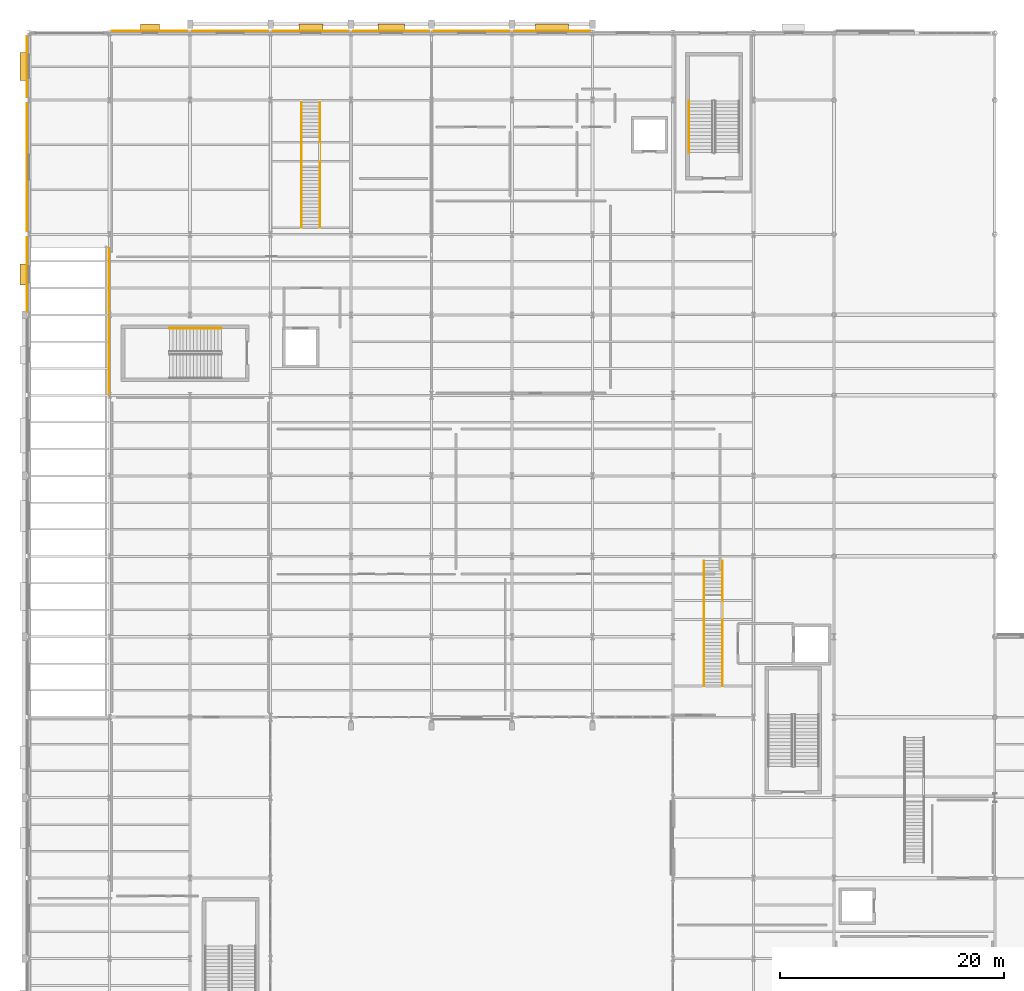
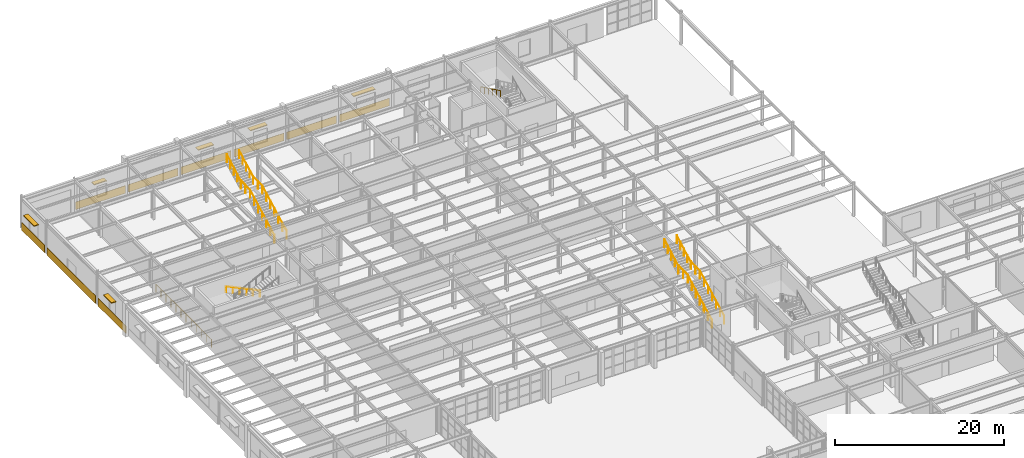
# One storey, part 76 of 83: 9 coverings, 7 railings, 6 shading devices.
"""IFC4 building model written with IfcOpenShell, lengths in metres."""

from ifc_helpers import new_model, si_unit, direction, frame, origin, origin_2d, place, context, subcontext, project, spatial, rectangle, circle, extrude, material, layer, layer_set, type_object, element, save


model = new_model("IFC4")

# Units and contexts
model_context = context("Model", 3, precision=1e-05, world=origin(), true_north=direction((0.0, 1.0)))
body_context = subcontext(model_context, "Body", "Model", "MODEL_VIEW")
ifc_project = project(units=[si_unit("LENGTHUNIT", "METRE"), si_unit("AREAUNIT", "SQUARE_METRE"), si_unit("VOLUMEUNIT", "CUBIC_METRE"), si_unit("PLANEANGLEUNIT", "RADIAN"), si_unit("MASSUNIT", "GRAM", prefix="KILO")], contexts=[model_context])

# Site, building, storey
site_placement = place(None, origin())
site = spatial("IfcSite", under=ifc_project, at=site_placement, CompositionType="ELEMENT")
building_placement = place(site_placement, origin())
building = spatial("IfcBuilding", under=site, at=building_placement, Name="Solvadek Multi-Sports Hall", CompositionType="ELEMENT")
storey_placement = place(building_placement, origin())
storey = spatial("IfcBuildingStorey", under=building, at=storey_placement, Name="L00", CompositionType="ELEMENT", Elevation=0.0)

# Coverings
ifc_material_1 = material(Name="Dressed honey-cream limestone ashlar", Category="masonry")
ifc_layer = layer(ifc_material_1, 0.044921875, Name="Dressed honey-cream limestone ashlar")
ifc_layer_set = layer_set([ifc_layer], Name="Dressed honey-cream limestone ashlar")
covering_type = type_object("IfcCoveringType", Name="ENV-COV-CLAD45", PredefinedType="CLADDING", material=ifc_layer_set)
covering_1_placement = place(storey_placement, frame((-0.197021484375, 88.800048828125, 0.0), z_axis=(0.0, 0.0, 1.0), x_axis=(0.0, 1.0, 0.0)))
element("IfcCovering", 1, at=covering_1_placement, inside=storey, type_object=covering_type, Name="Deccan Granite Plinth Cladding #10", PredefinedType="CLADDING", context=body_context, shape_type="SweptSolid", body=[
    extrude(rectangle(XDim=6.64208984375, YDim=0.044921875, at=origin_2d()), origin(), (0.0, 0.0, 1.0), 1.10009765625),
])
covering_2_placement = place(storey_placement, frame((-0.197021484375, 98.39990234375, 0.0), z_axis=(0.0, 0.0, 1.0), x_axis=(0.0, 1.0, 0.0)))
element("IfcCovering", 2, at=covering_2_placement, inside=storey, type_object=covering_type, Name="Deccan Granite Plinth Cladding #11", PredefinedType="CLADDING", context=body_context, shape_type="SweptSolid", body=[
    extrude(rectangle(XDim=11.44189453125, YDim=0.044921875, at=origin_2d()), origin(), (0.0, 0.0, 1.0), 1.10009765625),
])
covering_3_placement = place(storey_placement, frame((-0.197021484375, 107.39990234375, 0.0), z_axis=(0.0, 0.0, 1.0), x_axis=(0.0, 1.0, 0.0)))
element("IfcCovering", 3, at=covering_3_placement, inside=storey, type_object=covering_type, Name="Deccan Granite Plinth Cladding #12", PredefinedType="CLADDING", context=body_context, shape_type="SweptSolid", body=[
    extrude(rectangle(XDim=5.44189453125, YDim=0.044921875, at=origin_2d()), origin(), (0.0, 0.0, 1.0), 1.10009765625),
])
for number, where, z_axis, x_axis, name in (
    (4, (10.800048828125, 110.59716796875, 0.0), (0.0, 0.0, 1.0), (1.0, 0.0, 0.0), "Deccan Granite Plinth Cladding #13"),
    (5, (18.0, 110.59716796875, 0.0), (0.0, 0.0, 1.0), (1.0, 0.0, 0.0), "Deccan Granite Plinth Cladding #14"),
    (6, (25.199951171875, 110.59716796875, 0.0), (0.0, 0.0, 1.0), (1.0, 0.0, 0.0), "Deccan Granite Plinth Cladding #15"),
    (7, (32.39990234375, 110.59716796875, 0.0), (0.0, 0.0, 1.0), (1.0, 0.0, 0.0), "Deccan Granite Plinth Cladding #16"),
    (8, (39.60009765625, 110.59716796875, 0.0), (0.0, 0.0, 1.0), (1.0, 0.0, 0.0), "Deccan Granite Plinth Cladding #17"),
    (9, (46.800048828125, 110.59716796875, 0.0), (0.0, 0.0, 1.0), (1.0, 0.0, 0.0), "Deccan Granite Plinth Cladding #18"),
):
    element("IfcCovering", number, at=place(storey_placement, frame(where, z_axis=z_axis, x_axis=x_axis)), inside=storey, type_object=covering_type, Name=name, PredefinedType="CLADDING", context=body_context, shape_type="SweptSolid", body=[
        extrude(rectangle(XDim=6.7919921875, YDim=0.044921875, at=origin_2d()), origin(), (0.0, 0.0, 1.0), 1.10009765625),
    ])

# Shading devices
ifc_material_2 = material(Name="Perforated champagne-bronze anodised aluminium", Category="aluminium")
shading_device_type_1 = type_object("IfcShadingDeviceType", Name="ENV-SHD-CHAJJA1", PredefinedType="JALOUSIE", material=ifc_material_2)
shading_device_1_placement = place(storey_placement, frame((-0.494384765625, 107.39990234375, 3.119873046875), z_axis=(0.0, 0.0, 1.0), x_axis=(0.0, 1.0, 0.0)))
element("IfcShadingDevice", 10, at=shading_device_1_placement, inside=storey, type_object=shading_device_type_1, Name="L00 Chajja Solar Shading Hood #27", PredefinedType="JALOUSIE", context=body_context, shape_type="SweptSolid", body=[
    extrude(rectangle(XDim=2.5, YDim=0.639892578125, at=origin_2d()), origin(), (0.0, 0.0, 1.0), 0.1201171875),
])
shading_device_2_placement = place(storey_placement, frame((46.800048828125, 110.89453125, 2.969970703125), z_axis=(0.0, 0.0, 1.0), x_axis=(1.0, 0.0, 0.0)))
element("IfcShadingDevice", 11, at=shading_device_2_placement, inside=storey, type_object=shading_device_type_1, Name="L00 Chajja Solar Shading Hood #41", PredefinedType="JALOUSIE", context=body_context, shape_type="SweptSolid", body=[
    extrude(rectangle(XDim=2.949951171875, YDim=0.639892578125, at=origin_2d()), origin(), (0.0, 0.0, 1.0), 0.1201171875),
])
shading_device_type_2 = type_object("IfcShadingDeviceType", Name="ENV-SHD-CHAJJA2", PredefinedType="JALOUSIE", material=ifc_material_2)
shading_device_3_placement = place(storey_placement, frame((-0.494384765625, 88.800048828125, 3.119873046875), z_axis=(0.0, 0.0, 1.0), x_axis=(0.0, 1.0, 0.0)))
element("IfcShadingDevice", 12, at=shading_device_3_placement, inside=storey, type_object=shading_device_type_2, Name="L00 Chajja Solar Shading Hood #23", PredefinedType="JALOUSIE", context=body_context, shape_type="SweptSolid", body=[
    extrude(rectangle(XDim=1.89990234375, YDim=0.639892578125, at=origin_2d()), origin(), (0.0, 0.0, 1.0), 0.1201171875),
])
shading_device_4_placement = place(storey_placement, frame((10.800048828125, 110.89453125, 2.619873046875), z_axis=(0.0, 0.0, 1.0), x_axis=(1.0, 0.0, 0.0)))
element("IfcShadingDevice", 13, at=shading_device_4_placement, inside=storey, type_object=shading_device_type_2, Name="L00 Chajja Solar Shading Hood #30", PredefinedType="JALOUSIE", context=body_context, shape_type="SweptSolid", body=[
    extrude(rectangle(XDim=1.699951171875, YDim=0.639892578125, at=origin_2d()), origin(), (0.0, 0.0, 1.0), 0.1201171875),
])
shading_device_5_placement = place(storey_placement, frame((25.199951171875, 110.89453125, 2.669921875), z_axis=(0.0, 0.0, 1.0), x_axis=(1.0, 0.0, 0.0)))
element("IfcShadingDevice", 14, at=shading_device_5_placement, inside=storey, type_object=shading_device_type_2, Name="L00 Chajja Solar Shading Hood #35", PredefinedType="JALOUSIE", context=body_context, shape_type="SweptSolid", body=[
    extrude(rectangle(XDim=2.14990234375, YDim=0.639892578125, at=origin_2d()), origin(), (0.0, 0.0, 1.0), 0.1201171875),
])
shading_device_6_placement = place(storey_placement, frame((32.39990234375, 110.89453125, 2.969970703125), z_axis=(0.0, 0.0, 1.0), x_axis=(1.0, 0.0, 0.0)))
element("IfcShadingDevice", 15, at=shading_device_6_placement, inside=storey, type_object=shading_device_type_2, Name="L00 Chajja Solar Shading Hood #38", PredefinedType="JALOUSIE", context=body_context, shape_type="SweptSolid", body=[
    extrude(rectangle(XDim=2.35009765625, YDim=0.639892578125, at=origin_2d()), origin(), (0.0, 0.0, 1.0), 0.1201171875),
])

# Railings
ifc_material_3 = material(Name="Steel E250 (250 MPa)", Category="steel")
railing_type_1 = type_object("IfcRailingType", Name="INT-RAL-GRD115", PredefinedType="BALUSTRADE", material=ifc_material_3)
railing_1_placement = place(storey_placement, frame((62.0400390625, 52.0, 0.0)))
element("IfcRailing", 16, at=railing_1_placement, inside=storey, type_object=railing_type_1, Name="Stair ST-10 Balustrade Guard", PredefinedType="BALUSTRADE", context=body_context, shape_type="SweptSolid", body=[
    extrude(circle(Radius=0.02392578125, at=origin_2d()), frame((0.0, 0.0, 1.1259765625), z_axis=(0.0, 0.884916578004, 0.465749557138), x_axis=(-1.0, 0.0, 0.0)), (0.0, 0.0, 1.0), 6.441162109375),
    extrude(circle(Radius=0.02392578125, at=origin_2d()), frame((0.0, 5.699951171875, 4.1259765625), z_axis=(0.0, 1.0, 0.0), x_axis=(-1.0, 0.0, 0.0)), (0.0, 0.0, 1.0), 2.199951171875),
    extrude(circle(Radius=0.02392578125, at=origin_2d()), frame((0.0, 7.89990234375, 4.1259765625), z_axis=(0.0, 0.877893090839, 0.478856681124), x_axis=(-1.0, 0.0, 0.0)), (0.0, 0.0, 1.0), 3.759033203125),
    extrude(circle(Radius=0.02099609375, at=origin_2d()), origin(), (0.0, 0.0, 1.0), 1.101806640625),
    extrude(circle(Radius=0.02099609375, at=origin_2d()), frame((0.0, 0.949951171875, 0.5)), (0.0, 0.0, 1.0), 1.101806640625),
    extrude(circle(Radius=0.02099609375, at=origin_2d()), frame((0.0, 1.89990234375, 1.0)), (0.0, 0.0, 1.0), 1.101806640625),
    extrude(circle(Radius=0.02099609375, at=origin_2d()), frame((0.0, 2.85009765625, 1.5)), (0.0, 0.0, 1.0), 1.101806640625),
    extrude(circle(Radius=0.02099609375, at=origin_2d()), frame((0.0, 3.800048828125, 2.0)), (0.0, 0.0, 1.0), 1.101806640625),
    extrude(circle(Radius=0.02099609375, at=origin_2d()), frame((0.0, 4.75, 2.5)), (0.0, 0.0, 1.0), 1.101806640625),
    extrude(circle(Radius=0.02099609375, at=origin_2d()), frame((0.0, 5.699951171875, 3.0)), (0.0, 0.0, 1.0), 1.101806640625),
    extrude(circle(Radius=0.02099609375, at=origin_2d()), frame((0.0, 6.7998046875, 3.0)), (0.0, 0.0, 1.0), 1.101806640625),
    extrude(circle(Radius=0.02099609375, at=origin_2d()), frame((0.0, 7.89990234375, 3.0)), (0.0, 0.0, 1.0), 1.101806640625),
    extrude(circle(Radius=0.02099609375, at=origin_2d()), frame((0.0, 8.724853515625, 3.449951171875)), (0.0, 0.0, 1.0), 1.101806640625),
    extrude(circle(Radius=0.02099609375, at=origin_2d()), frame((0.0, 9.5498046875, 3.89990234375)), (0.0, 0.0, 1.0), 1.101806640625),
    extrude(circle(Radius=0.02099609375, at=origin_2d()), frame((0.0, 10.375, 4.35009765625)), (0.0, 0.0, 1.0), 1.101806640625),
    extrude(circle(Radius=0.02099609375, at=origin_2d()), frame((0.0, 11.199951171875, 4.800048828125)), (0.0, 0.0, 1.0), 1.101806640625),
])
railing_2_placement = place(storey_placement, frame((60.360107421875, 52.0, 0.0)))
element("IfcRailing", 17, at=railing_2_placement, inside=storey, type_object=railing_type_1, Name="Stair ST-10 Balustrade Guard", PredefinedType="BALUSTRADE", context=body_context, shape_type="SweptSolid", body=[
    extrude(circle(Radius=0.02392578125, at=origin_2d()), frame((0.0, 0.0, 1.1259765625), z_axis=(0.0, 0.884916578004, 0.465749557138), x_axis=(-1.0, 0.0, 0.0)), (0.0, 0.0, 1.0), 6.441162109375),
    extrude(circle(Radius=0.02392578125, at=origin_2d()), frame((0.0, 5.699951171875, 4.1259765625), z_axis=(0.0, 1.0, 0.0), x_axis=(-1.0, 0.0, 0.0)), (0.0, 0.0, 1.0), 2.199951171875),
    extrude(circle(Radius=0.02392578125, at=origin_2d()), frame((0.0, 7.89990234375, 4.1259765625), z_axis=(0.0, 0.877893090839, 0.478856681124), x_axis=(-1.0, 0.0, 0.0)), (0.0, 0.0, 1.0), 3.759033203125),
    extrude(circle(Radius=0.02099609375, at=origin_2d()), origin(), (0.0, 0.0, 1.0), 1.101806640625),
    extrude(circle(Radius=0.02099609375, at=origin_2d()), frame((0.0, 0.949951171875, 0.5)), (0.0, 0.0, 1.0), 1.101806640625),
    extrude(circle(Radius=0.02099609375, at=origin_2d()), frame((0.0, 1.89990234375, 1.0)), (0.0, 0.0, 1.0), 1.101806640625),
    extrude(circle(Radius=0.02099609375, at=origin_2d()), frame((0.0, 2.85009765625, 1.5)), (0.0, 0.0, 1.0), 1.101806640625),
    extrude(circle(Radius=0.02099609375, at=origin_2d()), frame((0.0, 3.800048828125, 2.0)), (0.0, 0.0, 1.0), 1.101806640625),
    extrude(circle(Radius=0.02099609375, at=origin_2d()), frame((0.0, 4.75, 2.5)), (0.0, 0.0, 1.0), 1.101806640625),
    extrude(circle(Radius=0.02099609375, at=origin_2d()), frame((0.0, 5.699951171875, 3.0)), (0.0, 0.0, 1.0), 1.101806640625),
    extrude(circle(Radius=0.02099609375, at=origin_2d()), frame((0.0, 6.7998046875, 3.0)), (0.0, 0.0, 1.0), 1.101806640625),
    extrude(circle(Radius=0.02099609375, at=origin_2d()), frame((0.0, 7.89990234375, 3.0)), (0.0, 0.0, 1.0), 1.101806640625),
    extrude(circle(Radius=0.02099609375, at=origin_2d()), frame((0.0, 8.724853515625, 3.449951171875)), (0.0, 0.0, 1.0), 1.101806640625),
    extrude(circle(Radius=0.02099609375, at=origin_2d()), frame((0.0, 9.5498046875, 3.89990234375)), (0.0, 0.0, 1.0), 1.101806640625),
    extrude(circle(Radius=0.02099609375, at=origin_2d()), frame((0.0, 10.375, 4.35009765625)), (0.0, 0.0, 1.0), 1.101806640625),
    extrude(circle(Radius=0.02099609375, at=origin_2d()), frame((0.0, 11.199951171875, 4.800048828125)), (0.0, 0.0, 1.0), 1.101806640625),
])
railing_3_placement = place(storey_placement, frame((26.0400390625, 93.0, 0.0)))
element("IfcRailing", 18, at=railing_3_placement, inside=storey, type_object=railing_type_1, Name="Stair ST-12 Balustrade Guard", PredefinedType="BALUSTRADE", context=body_context, shape_type="SweptSolid", body=[
    extrude(circle(Radius=0.02392578125, at=origin_2d()), frame((0.0, 0.0, 1.1259765625), z_axis=(0.0, 0.884916578004, 0.465749557138), x_axis=(-1.0, 0.0, 0.0)), (0.0, 0.0, 1.0), 6.441162109375),
    extrude(circle(Radius=0.02392578125, at=origin_2d()), frame((0.0, 5.699951171875, 4.1259765625), z_axis=(0.0, 1.0, 0.0), x_axis=(-1.0, 0.0, 0.0)), (0.0, 0.0, 1.0), 2.199951171875),
    extrude(circle(Radius=0.02392578125, at=origin_2d()), frame((0.0, 7.89990234375, 4.1259765625), z_axis=(0.0, 0.877893090839, 0.478856681124), x_axis=(-1.0, 0.0, 0.0)), (0.0, 0.0, 1.0), 3.759033203125),
    extrude(circle(Radius=0.02099609375, at=origin_2d()), origin(), (0.0, 0.0, 1.0), 1.101806640625),
    extrude(circle(Radius=0.02099609375, at=origin_2d()), frame((0.0, 0.949951171875, 0.5)), (0.0, 0.0, 1.0), 1.101806640625),
    extrude(circle(Radius=0.02099609375, at=origin_2d()), frame((0.0, 1.89990234375, 1.0)), (0.0, 0.0, 1.0), 1.101806640625),
    extrude(circle(Radius=0.02099609375, at=origin_2d()), frame((0.0, 2.85009765625, 1.5)), (0.0, 0.0, 1.0), 1.101806640625),
    extrude(circle(Radius=0.02099609375, at=origin_2d()), frame((0.0, 3.800048828125, 2.0)), (0.0, 0.0, 1.0), 1.101806640625),
    extrude(circle(Radius=0.02099609375, at=origin_2d()), frame((0.0, 4.75, 2.5)), (0.0, 0.0, 1.0), 1.101806640625),
    extrude(circle(Radius=0.02099609375, at=origin_2d()), frame((0.0, 5.699951171875, 3.0)), (0.0, 0.0, 1.0), 1.101806640625),
    extrude(circle(Radius=0.02099609375, at=origin_2d()), frame((0.0, 6.7998046875, 3.0)), (0.0, 0.0, 1.0), 1.101806640625),
    extrude(circle(Radius=0.02099609375, at=origin_2d()), frame((0.0, 7.89990234375, 3.0)), (0.0, 0.0, 1.0), 1.101806640625),
    extrude(circle(Radius=0.02099609375, at=origin_2d()), frame((0.0, 8.724853515625, 3.449951171875)), (0.0, 0.0, 1.0), 1.101806640625),
    extrude(circle(Radius=0.02099609375, at=origin_2d()), frame((0.0, 9.5498046875, 3.89990234375)), (0.0, 0.0, 1.0), 1.101806640625),
    extrude(circle(Radius=0.02099609375, at=origin_2d()), frame((0.0, 10.375, 4.35009765625)), (0.0, 0.0, 1.0), 1.101806640625),
    extrude(circle(Radius=0.02099609375, at=origin_2d()), frame((0.0, 11.199951171875, 4.800048828125)), (0.0, 0.0, 1.0), 1.101806640625),
])
railing_4_placement = place(storey_placement, frame((24.360107421875, 93.0, 0.0)))
element("IfcRailing", 19, at=railing_4_placement, inside=storey, type_object=railing_type_1, Name="Stair ST-12 Balustrade Guard", PredefinedType="BALUSTRADE", context=body_context, shape_type="SweptSolid", body=[
    extrude(circle(Radius=0.02392578125, at=origin_2d()), frame((0.0, 0.0, 1.1259765625), z_axis=(0.0, 0.884916578004, 0.465749557138), x_axis=(-1.0, 0.0, 0.0)), (0.0, 0.0, 1.0), 6.441162109375),
    extrude(circle(Radius=0.02392578125, at=origin_2d()), frame((0.0, 5.699951171875, 4.1259765625), z_axis=(0.0, 1.0, 0.0), x_axis=(-1.0, 0.0, 0.0)), (0.0, 0.0, 1.0), 2.199951171875),
    extrude(circle(Radius=0.02392578125, at=origin_2d()), frame((0.0, 7.89990234375, 4.1259765625), z_axis=(0.0, 0.877893090839, 0.478856681124), x_axis=(-1.0, 0.0, 0.0)), (0.0, 0.0, 1.0), 3.759033203125),
    extrude(circle(Radius=0.02099609375, at=origin_2d()), origin(), (0.0, 0.0, 1.0), 1.101806640625),
    extrude(circle(Radius=0.02099609375, at=origin_2d()), frame((0.0, 0.949951171875, 0.5)), (0.0, 0.0, 1.0), 1.101806640625),
    extrude(circle(Radius=0.02099609375, at=origin_2d()), frame((0.0, 1.89990234375, 1.0)), (0.0, 0.0, 1.0), 1.101806640625),
    extrude(circle(Radius=0.02099609375, at=origin_2d()), frame((0.0, 2.85009765625, 1.5)), (0.0, 0.0, 1.0), 1.101806640625),
    extrude(circle(Radius=0.02099609375, at=origin_2d()), frame((0.0, 3.800048828125, 2.0)), (0.0, 0.0, 1.0), 1.101806640625),
    extrude(circle(Radius=0.02099609375, at=origin_2d()), frame((0.0, 4.75, 2.5)), (0.0, 0.0, 1.0), 1.101806640625),
    extrude(circle(Radius=0.02099609375, at=origin_2d()), frame((0.0, 5.699951171875, 3.0)), (0.0, 0.0, 1.0), 1.101806640625),
    extrude(circle(Radius=0.02099609375, at=origin_2d()), frame((0.0, 6.7998046875, 3.0)), (0.0, 0.0, 1.0), 1.101806640625),
    extrude(circle(Radius=0.02099609375, at=origin_2d()), frame((0.0, 7.89990234375, 3.0)), (0.0, 0.0, 1.0), 1.101806640625),
    extrude(circle(Radius=0.02099609375, at=origin_2d()), frame((0.0, 8.724853515625, 3.449951171875)), (0.0, 0.0, 1.0), 1.101806640625),
    extrude(circle(Radius=0.02099609375, at=origin_2d()), frame((0.0, 9.5498046875, 3.89990234375)), (0.0, 0.0, 1.0), 1.101806640625),
    extrude(circle(Radius=0.02099609375, at=origin_2d()), frame((0.0, 10.375, 4.35009765625)), (0.0, 0.0, 1.0), 1.101806640625),
    extrude(circle(Radius=0.02099609375, at=origin_2d()), frame((0.0, 11.199951171875, 4.800048828125)), (0.0, 0.0, 1.0), 1.101806640625),
])
railing_5_placement = place(storey_placement, frame((7.139892578125, 78.06005859375, 0.0)))
element("IfcRailing", 20, at=railing_5_placement, inside=storey, type_object=railing_type_1, Name="L00 Void Edge Balustrade Guard #22", PredefinedType="BALUSTRADE", context=body_context, shape_type="SweptSolid", body=[
    extrude(circle(Radius=0.02392578125, at=origin_2d()), frame((0.0, 0.0, 1.1259765625), z_axis=(0.0, 1.0, 0.0), x_axis=(-1.0, 0.0, 0.0)), (0.0, 0.0, 1.0), 13.079833984375),
    extrude(circle(Radius=0.02099609375, at=origin_2d()), origin(), (0.0, 0.0, 1.0), 1.101806640625),
    extrude(circle(Radius=0.02099609375, at=origin_2d()), frame((0.0, 1.18896484375, 0.0)), (0.0, 0.0, 1.0), 1.101806640625),
    extrude(circle(Radius=0.02099609375, at=origin_2d()), frame((0.0, 2.378173828125, 0.0)), (0.0, 0.0, 1.0), 1.101806640625),
    extrude(circle(Radius=0.02099609375, at=origin_2d()), frame((0.0, 3.567138671875, 0.0)), (0.0, 0.0, 1.0), 1.101806640625),
    extrude(circle(Radius=0.02099609375, at=origin_2d()), frame((0.0, 4.75634765625, 0.0)), (0.0, 0.0, 1.0), 1.101806640625),
    extrude(circle(Radius=0.02099609375, at=origin_2d()), frame((0.0, 5.9453125, 0.0)), (0.0, 0.0, 1.0), 1.101806640625),
    extrude(circle(Radius=0.02099609375, at=origin_2d()), frame((0.0, 7.134521484375, 0.0)), (0.0, 0.0, 1.0), 1.101806640625),
    extrude(circle(Radius=0.02099609375, at=origin_2d()), frame((0.0, 8.323486328125, 0.0)), (0.0, 0.0, 1.0), 1.101806640625),
    extrude(circle(Radius=0.02099609375, at=origin_2d()), frame((0.0, 9.5126953125, 0.0)), (0.0, 0.0, 1.0), 1.101806640625),
    extrude(circle(Radius=0.02099609375, at=origin_2d()), frame((0.0, 10.70166015625, 0.0)), (0.0, 0.0, 1.0), 1.101806640625),
    extrude(circle(Radius=0.02099609375, at=origin_2d()), frame((0.0, 11.890869140625, 0.0)), (0.0, 0.0, 1.0), 1.101806640625),
    extrude(circle(Radius=0.02099609375, at=origin_2d()), frame((0.0, 13.079833984375, 0.0)), (0.0, 0.0, 1.0), 1.101806640625),
])
railing_type_2 = type_object("IfcRailingType", Name="INT-RAL-HND090", PredefinedType="HANDRAIL", material=ifc_material_3)
railing_6_placement = place(storey_placement, frame((17.199951171875, 84.0, 0.14990234375)))
element("IfcRailing", 21, at=railing_6_placement, inside=storey, type_object=railing_type_2, Name="L00 ST-02 stair handrail 1", PredefinedType="HANDRAIL", context=body_context, shape_type="SweptSolid", body=[
    extrude(circle(Radius=0.02392578125, at=origin_2d()), frame((0.0, 0.0, 0.8759765625), z_axis=(-0.900155664878, 0.0, 0.435568340204), x_axis=(0.0, -1.0, 0.0)), (0.0, 0.0, 1.0), 5.165771484375),
    extrude(circle(Radius=0.02099609375, at=origin_2d()), origin(), (0.0, 0.0, 1.0), 0.851806640625),
    extrude(circle(Radius=0.02099609375, at=origin_2d()), frame((-0.929931640625, 0.0, 0.449951171875)), (0.0, 0.0, 1.0), 0.851806640625),
    extrude(circle(Radius=0.02099609375, at=origin_2d()), frame((-1.85986328125, 0.0, 0.89990234375)), (0.0, 0.0, 1.0), 0.851806640625),
    extrude(circle(Radius=0.02099609375, at=origin_2d()), frame((-2.7900390625, 0.0, 1.35009765625)), (0.0, 0.0, 1.0), 0.851806640625),
    extrude(circle(Radius=0.02099609375, at=origin_2d()), frame((-3.719970703125, 0.0, 1.800048828125)), (0.0, 0.0, 1.0), 0.851806640625),
    extrude(circle(Radius=0.02099609375, at=origin_2d()), frame((-4.64990234375, 0.0, 2.25)), (0.0, 0.0, 1.0), 0.851806640625),
])
railing_7_placement = place(storey_placement, frame((59.050048828125, 104.35009765625, 2.550048828125)))
element("IfcRailing", 22, at=railing_7_placement, inside=storey, type_object=railing_type_2, Name="L00 ST-03 stair handrail 2", PredefinedType="HANDRAIL", context=body_context, shape_type="SweptSolid", body=[
    extrude(circle(Radius=0.02392578125, at=origin_2d()), frame((0.0, 0.0, 0.8759765625), z_axis=(0.0, -0.900164630878, 0.435549810373), x_axis=(1.0, 0.0, 0.0)), (0.0, 0.0, 1.0), 5.165771484375),
    extrude(circle(Radius=0.02099609375, at=origin_2d()), origin(), (0.0, 0.0, 1.0), 0.851806640625),
    extrude(circle(Radius=0.02099609375, at=origin_2d()), frame((0.0, -0.929931640625, 0.449951171875)), (0.0, 0.0, 1.0), 0.851806640625),
    extrude(circle(Radius=0.02099609375, at=origin_2d()), frame((0.0, -1.860107421875, 0.89990234375)), (0.0, 0.0, 1.0), 0.851806640625),
    extrude(circle(Radius=0.02099609375, at=origin_2d()), frame((0.0, -2.7900390625, 1.35009765625)), (0.0, 0.0, 1.0), 0.851806640625),
    extrude(circle(Radius=0.02099609375, at=origin_2d()), frame((0.0, -3.72021484375, 1.800048828125)), (0.0, 0.0, 1.0), 0.851806640625),
    extrude(circle(Radius=0.02099609375, at=origin_2d()), frame((0.0, -4.650146484375, 2.25)), (0.0, 0.0, 1.0), 0.851806640625),
])

save(model, "model.ifc")
